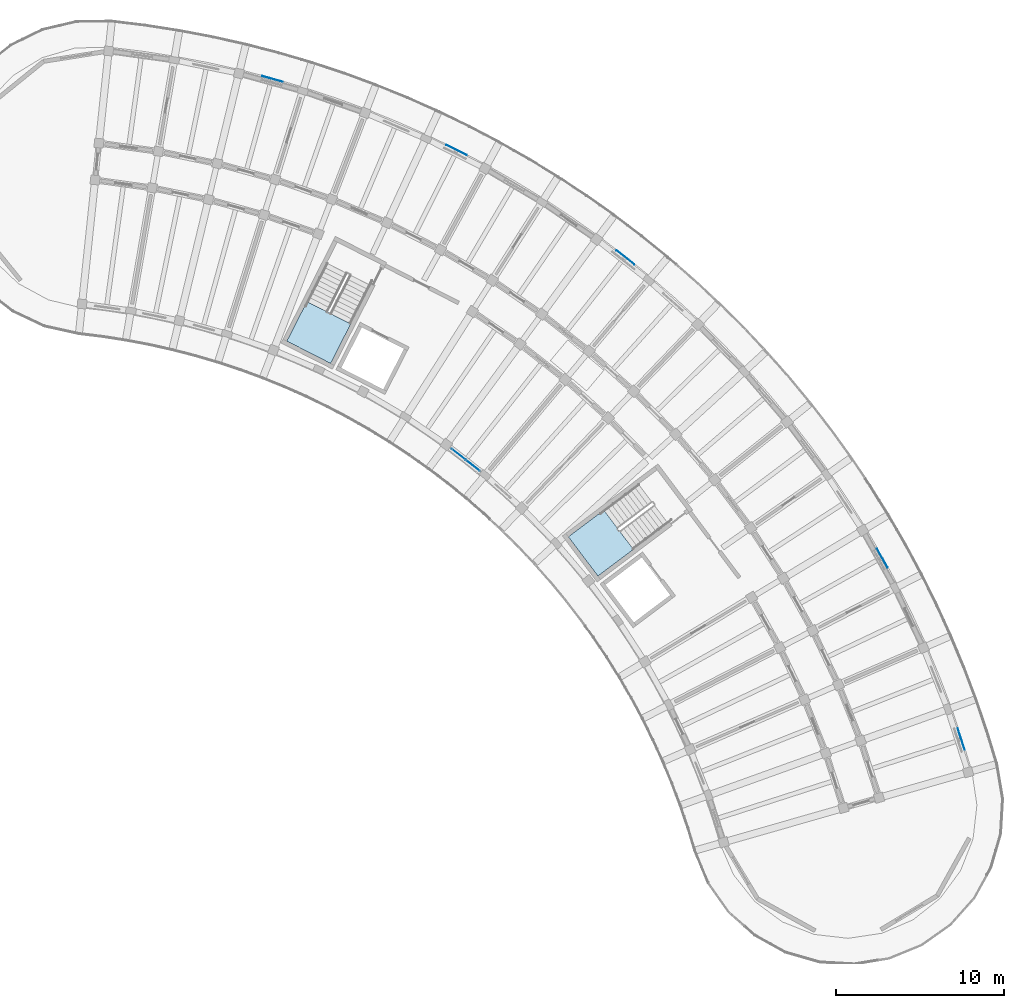
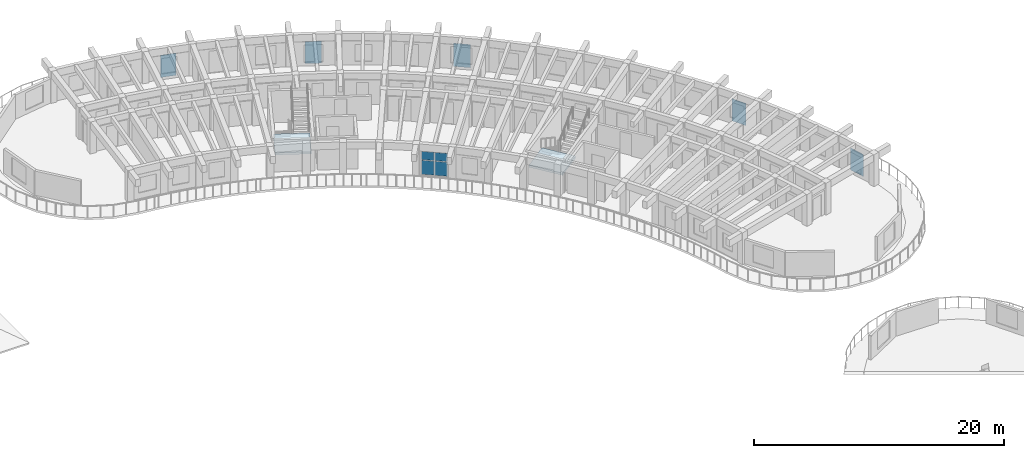
# One storey, part 33 of 81: 9 plates, 2 slabs, 3 elements without a shape of their own.
"""IFC4 building model written with IfcOpenShell, lengths in metres."""

from ifc_helpers import new_model, si_unit, direction, frame, origin, origin_2d, place, context, subcontext, project, spatial, polyline, rectangle, outline, extrude, material, layer, layer_set, type_object, element, aggregate, save


model = new_model("IFC4")

# Units and contexts
model_context = context("Model", 3, precision=1e-05, world=origin(), true_north=direction((0.0, 1.0)))
body_context = subcontext(model_context, "Body", "Model", "MODEL_VIEW")
ifc_project = project(units=[si_unit("LENGTHUNIT", "METRE"), si_unit("AREAUNIT", "SQUARE_METRE"), si_unit("VOLUMEUNIT", "CUBIC_METRE"), si_unit("PLANEANGLEUNIT", "RADIAN"), si_unit("MASSUNIT", "GRAM", prefix="KILO")], contexts=[model_context])

# Site, building, storey
site_placement = place(None, origin())
site = spatial("IfcSite", under=ifc_project, at=site_placement, CompositionType="ELEMENT")
building_placement = place(site_placement, origin())
building = spatial("IfcBuilding", under=site, at=building_placement, Name="Tanwirah Colonnade Gardens", CompositionType="ELEMENT")
storey_placement = place(building_placement, frame((0.0, 0.0, 8.840087890625)))
storey = spatial("IfcBuildingStorey", under=building, at=storey_placement, Name="L02", CompositionType="ELEMENT", Elevation=8.840087890625)

# Curtain wall, plates
ifc_material_1 = material(Name="Bronze-anodised aluminium and solar-control low-E glass", Category="aluminium")
curtain_wall_type = type_object("IfcCurtainWallType", Name="CW-GDN", PredefinedType="NOTDEFINED", material=ifc_material_1)
curtain_wall_placement = place(storey_placement, origin())
curtain_wall = element("IfcCurtainWall", 1, at=curtain_wall_placement, inside=storey, type_object=curtain_wall_type, Name="Curtain Wall CW-B-L02-IN-09", PredefinedType="NOTDEFINED")
ifc_material_2 = material(Name="Solar-control low-E double glazing", Category="glass")
ifc_layer_1 = layer(ifc_material_2, 0.028076171875)
ifc_layer_set_1 = layer_set([ifc_layer_1], Name="Solar-control low-E double glazing")
plate_type_1 = type_object("IfcPlateType", Name="CWP-GLZ28", PredefinedType="CURTAIN_PANEL", material=ifc_layer_set_1)
plate_1_placement = place(storey_placement, frame((148.842041015625, 94.8232421875, 0.059814453125), z_axis=(0.0, 0.0, 1.0), x_axis=(-0.786815291166, 0.617188542982, 0.0)))
plate_1 = element("IfcPlate", 2, at=plate_1_placement, type_object=plate_type_1, Name="CW-GDN panel 1.1", PredefinedType="CURTAIN_PANEL", context=body_context, shape_type="SweptSolid", body=[
    extrude(rectangle(XDim=1.01513671875, YDim=0.028076171875, at=origin_2d()), origin(), (0.0, 0.0, 1.0), 1.3701171875),
])
plate_2_placement = place(storey_placement, frame((148.842041015625, 94.8232421875, 1.490234375), z_axis=(0.0, 0.0, 1.0), x_axis=(-0.786815291166, 0.617188542982, 0.0)))
plate_2 = element("IfcPlate", 3, at=plate_2_placement, type_object=plate_type_1, Name="CW-GDN panel 1.2", PredefinedType="CURTAIN_PANEL", context=body_context, shape_type="SweptSolid", body=[
    extrude(rectangle(XDim=1.01513671875, YDim=0.028076171875, at=origin_2d()), origin(), (0.0, 0.0, 1.0), 0.804931640625),
])
plate_3_placement = place(storey_placement, frame((147.99609375, 95.48681640625, 0.059814453125), z_axis=(0.0, 0.0, 1.0), x_axis=(-0.786815291166, 0.617188542982, 0.0)))
plate_3 = element("IfcPlate", 4, at=plate_3_placement, type_object=plate_type_1, Name="CW-GDN panel 2.1", PredefinedType="CURTAIN_PANEL", context=body_context, shape_type="SweptSolid", body=[
    extrude(rectangle(XDim=1.01513671875, YDim=0.028076171875, at=origin_2d()), origin(), (0.0, 0.0, 1.0), 1.3701171875),
])
plate_4_placement = place(storey_placement, frame((147.99609375, 95.48681640625, 1.490234375), z_axis=(0.0, 0.0, 1.0), x_axis=(-0.786815291166, 0.617188542982, 0.0)))
plate_4 = element("IfcPlate", 5, at=plate_4_placement, type_object=plate_type_1, Name="CW-GDN panel 2.2", PredefinedType="CURTAIN_PANEL", context=body_context, shape_type="SweptSolid", body=[
    extrude(rectangle(XDim=1.01513671875, YDim=0.028076171875, at=origin_2d()), origin(), (0.0, 0.0, 1.0), 0.804931640625),
])
aggregate(curtain_wall, [plate_1, plate_2, plate_3, plate_4])

# Plates
ifc_material_3 = material(Name="Laser-cut bronze aluminium solar screen plate", Category="aluminium")
ifc_layer_2 = layer(ifc_material_3, 0.02001953125)
ifc_layer_set_2 = layer_set([ifc_layer_2], Name="Laser-cut bronze aluminium solar screen plate")
plate_type_2 = type_object("IfcPlateType", Name="PLT-SCR20", PredefinedType="SHEET", material=ifc_layer_set_2)
plate_5_placement = place(storey_placement, frame((177.831787109375, 78.588623046875, 0.0), z_axis=(0.0, 0.0, 1.0), x_axis=(-0.307171739363, 0.951654098156, 0.0)))
element("IfcPlate", 6, at=plate_5_placement, inside=storey, type_object=plate_type_2, Name="Perforated solar screen plate B-L02-00", PredefinedType="SHEET", context=body_context, shape_type="SweptSolid", body=[
    extrude(rectangle(XDim=1.35009765625, YDim=0.02001953125, at=origin_2d()), origin(), (0.0, 0.0, 1.0), 2.14990234375),
])
plate_6_placement = place(storey_placement, frame((173.1513671875, 89.32421875, 0.0), z_axis=(0.0, 0.0, 1.0), x_axis=(-0.488198368322, 0.872732692849, 0.0)))
element("IfcPlate", 7, at=plate_6_placement, inside=storey, type_object=plate_type_2, Name="Perforated solar screen plate B-L02-03", PredefinedType="SHEET", context=body_context, shape_type="SweptSolid", body=[
    extrude(rectangle(XDim=1.280029296875, YDim=0.02001953125, at=origin_2d()), origin(), (0.0, 0.0, 1.0), 2.169921875),
])
plate_7_placement = place(storey_placement, frame((157.899658203125, 107.17236328125, 0.0), z_axis=(0.0, 0.0, 1.0), x_axis=(-0.786816013383, 0.617187622271, 0.0)))
element("IfcPlate", 8, at=plate_7_placement, inside=storey, type_object=plate_type_2, Name="Perforated solar screen plate B-L02-09", PredefinedType="SHEET", context=body_context, shape_type="SweptSolid", body=[
    extrude(rectangle(XDim=1.35009765625, YDim=0.02001953125, at=origin_2d()), origin(), (0.0, 0.0, 1.0), 2.260009765625),
])
plate_8_placement = place(storey_placement, frame((147.87353515625, 113.546142578125, 0.0), z_axis=(0.0, 0.0, 1.0), x_axis=(-0.892759988233, 0.450532577524, 0.0)))
element("IfcPlate", 9, at=plate_8_placement, inside=storey, type_object=plate_type_2, Name="Perforated solar screen plate B-L02-12", PredefinedType="SHEET", context=body_context, shape_type="SweptSolid", body=[
    extrude(rectangle(XDim=1.35009765625, YDim=0.02001953125, at=origin_2d()), origin(), (0.0, 0.0, 1.0), 2.14990234375),
])
plate_9_placement = place(storey_placement, frame((136.947998046875, 117.764404296875, 0.0), z_axis=(0.0, 0.0, 1.0), x_axis=(-0.963888748144, 0.266305240659, 0.0)))
element("IfcPlate", 10, at=plate_9_placement, inside=storey, type_object=plate_type_2, Name="Perforated solar screen plate B-L02-15", PredefinedType="SHEET", context=body_context, shape_type="SweptSolid", body=[
    extrude(rectangle(XDim=1.280029296875, YDim=0.02001953125, at=origin_2d()), origin(), (0.0, 0.0, 1.0), 2.169921875),
])

# Stair, slab
ifc_material_4 = material(Name="Precast concrete C40/50", Category="concrete")
stair_type = type_object("IfcStairType", Name="ST-RES168", PredefinedType="HALF_TURN_STAIR", material=ifc_material_4)
stair_1_placement = place(storey_placement, origin())
stair_1 = element("IfcStair", 11, at=stair_1_placement, inside=storey, type_object=stair_type, Name="L02 Block B Core 1 Exit Stair", PredefinedType="HALF_TURN_STAIR")
ifc_layer_3 = layer(ifc_material_4, 0.205078125)
ifc_layer_set_3 = layer_set([ifc_layer_3], Name="Precast concrete C40/50")
slab_type = type_object("IfcSlabType", Name="SL-LND-205", PredefinedType="LANDING", material=ifc_layer_set_3)
slab_1_placement = place(storey_placement, frame((0.0, 0.0, 1.474853515625)))
slab_1 = element("IfcSlab", 12, at=slab_1_placement, type_object=slab_type, Name="ST-B1 landing 1", PredefinedType="LANDING", context=body_context, shape_type="SweptSolid", body=[
    extrude(outline(polyline([(156.615478515625, 92.171875), (154.510986328125, 90.586181640625), (156.268310546875, 88.254150390625), (158.372802734375, 89.83984375), (156.615478515625, 92.171875)])), origin(), (0.0, 0.0, 1.0), 0.205078125),
])
aggregate(stair_1, [slab_1])

stair_2_placement = place(storey_placement, origin())
stair_2 = element("IfcStair", 13, at=stair_2_placement, inside=storey, type_object=stair_type, Name="L02 Block B Core 2 Exit Stair", PredefinedType="HALF_TURN_STAIR")
slab_2_placement = place(storey_placement, frame((0.0, 0.0, 1.474853515625)))
slab_2 = element("IfcSlab", 14, at=slab_2_placement, type_object=slab_type, Name="ST-B2 landing 1", PredefinedType="LANDING", context=body_context, shape_type="SweptSolid", body=[
    extrude(outline(polyline([(138.995361328125, 104.549072265625), (137.799072265625, 102.201171875), (140.40087890625, 100.87548828125), (141.59716796875, 103.223388671875), (138.995361328125, 104.549072265625)])), origin(), (0.0, 0.0, 1.0), 0.205078125),
])
aggregate(stair_2, [slab_2])

save(model, "model.ifc")
